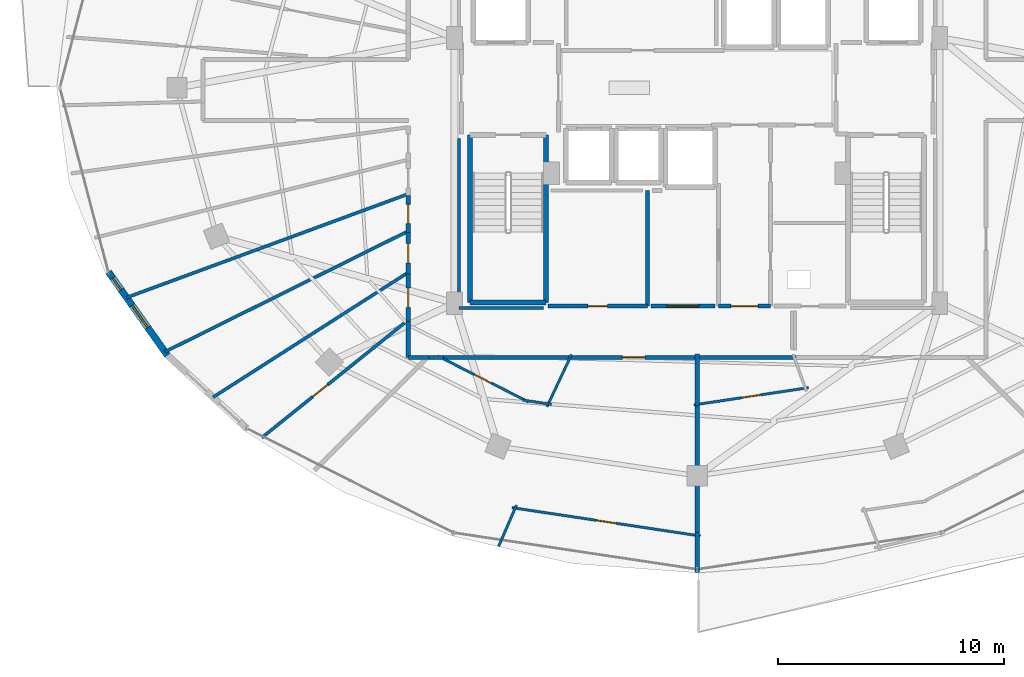
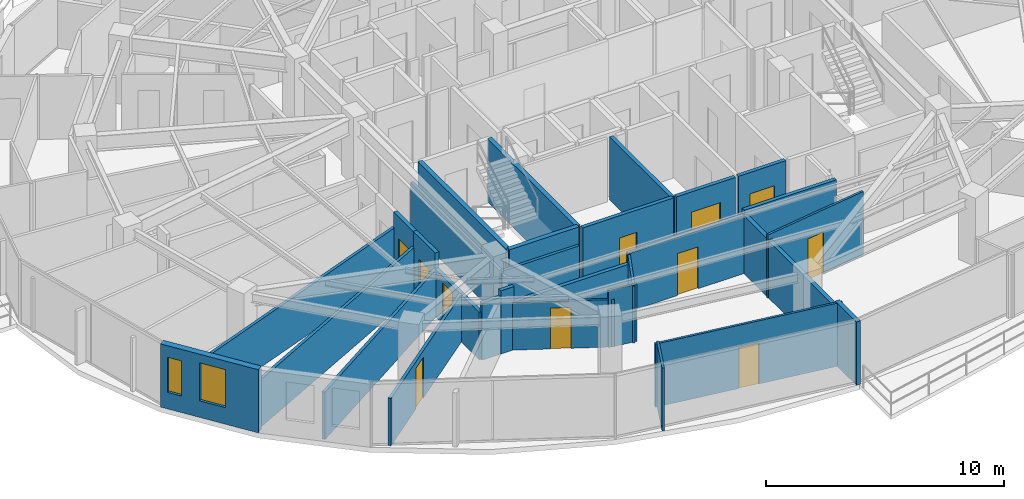
# One storey, part 22 of 31: 32 walls, 11 doors, 2 windows, 13 openings.
"""IFC4 building model written with IfcOpenShell, lengths in metres."""

from ifc_helpers import new_model, si_unit, direction, frame, frame_2d, origin, place, context, subcontext, project, spatial, rectangle, extrude, material, layer, layer_set, type_object, element, fill, save


model = new_model("IFC4")

# Units and contexts
model_context = context("Model", 3, precision=1e-05, world=origin(), true_north=direction((0.0, 1.0)))
body_context = subcontext(model_context, "Body", "Model", "MODEL_VIEW")
ifc_project = project(units=[si_unit("LENGTHUNIT", "METRE"), si_unit("AREAUNIT", "SQUARE_METRE"), si_unit("VOLUMEUNIT", "CUBIC_METRE"), si_unit("PLANEANGLEUNIT", "RADIAN"), si_unit("MASSUNIT", "GRAM", prefix="KILO")], contexts=[model_context])

# Site, building, storey
site_placement = place(None, origin())
site = spatial("IfcSite", under=ifc_project, at=site_placement, CompositionType="ELEMENT")
building_placement = place(site_placement, origin())
building = spatial("IfcBuilding", under=site, at=building_placement, Name="Vorneva Point Tower", CompositionType="ELEMENT")
storey_placement = place(building_placement, frame((0.0, 0.0, 193.10009765625)))
storey = spatial("IfcBuildingStorey", under=building, at=storey_placement, Name="L52", CompositionType="ELEMENT", Elevation=193.10009765625)

# Wall, openings, windows
ifc_material_1 = material(Name="Precast concrete B50 (C40/50)", Category="concrete")
ifc_layer_1 = layer(ifc_material_1, 0.300048828125)
ifc_layer_set_1 = layer_set([ifc_layer_1], Name="Precast concrete B50 (C40/50)")
wall_type_1 = type_object("IfcWallType", Name="WL-EXT-300", PredefinedType="STANDARD", material=ifc_layer_set_1)
wall_1_placement = place(storey_placement, frame((11.9189453125, 17.82958984375, 0.0), z_axis=(0.0, 0.0, 1.0), x_axis=(0.577168747264, -0.81662490605, 0.0)))
wall_1 = element("IfcWall", 1, at=wall_1_placement, inside=storey, type_object=wall_type_1, Name="L52 Pale-Metal Facade Spandrel Wall 10.1", PredefinedType="STANDARD", context=body_context, shape_type="SweptSolid", body=[
    extrude(rectangle(XDim=4.519775390625, YDim=0.300048828125, at=frame_2d((2.259765625, 0.0))), origin(), (0.0, 0.0, 1.0), 3.239990234375),
])
opening_1_placement = place(wall_1_placement, frame((0.319580078125, 0.0, 0.85009765625)))
opening_1 = element("IfcOpeningElement", 2, at=opening_1_placement, cuts=wall_1, Name="Opening W-09", PredefinedType="OPENING", context=body_context, shape_type="SweptSolid", body=[
    extrude(rectangle(XDim=0.64990234375, YDim=1.800048828125, at=frame_2d((0.324951171875, 0.89990234375))), frame((0.0, 0.1650390625, 0.0), z_axis=(0.0, -1.0, 0.0), x_axis=(1.0, 0.0, 0.0)), (0.0, 0.0, 1.0), 0.329833984375),
])
opening_2_placement = place(wall_1_placement, frame((1.80908203125, 0.0, 0.85009765625)))
opening_2 = element("IfcOpeningElement", 3, at=opening_2_placement, cuts=wall_1, Name="Opening W-04", PredefinedType="OPENING", context=body_context, shape_type="SweptSolid", body=[
    extrude(rectangle(XDim=1.199951171875, YDim=1.949951171875, at=frame_2d((0.60009765625, 0.97509765625))), frame((0.0, 0.1650390625, 0.0), z_axis=(0.0, -1.0, 0.0), x_axis=(1.0, 0.0, 0.0)), (0.0, 0.0, 1.0), 0.329833984375),
])
ifc_material_2 = material(Name="Double low-e laminated glass IGU", Category="glass")
window_type_1 = type_object("IfcWindowType", Name="WN-CAS-650", PartitioningType="SINGLE_PANEL", PredefinedType="WINDOW", material=ifc_material_2)
window_1_placement = place(opening_1_placement, origin())
window_1 = element("IfcWindow", 4, at=window_1_placement, inside=storey, type_object=window_type_1, Name="L52 Dwelling Vision Window 01", OverallHeight=1.800048828125, OverallWidth=0.64990234375, PartitioningType="SINGLE_PANEL", PredefinedType="WINDOW", context=body_context, shape_type="SweptSolid", body=[
    extrude(rectangle(XDim=0.64990234375, YDim=1.800048828125, at=frame_2d((0.324951171875, 0.89990234375))), frame((0.0, 0.030029296875, 0.0), z_axis=(0.0, -1.0, 0.0), x_axis=(1.0, 0.0, 0.0)), (0.0, 0.0, 1.0), 0.06005859375),
])
fill(opening_1, window_1)
window_type_2 = type_object("IfcWindowType", Name="WN-RES-1200", PartitioningType="SINGLE_PANEL", PredefinedType="WINDOW", material=ifc_material_2)
window_2_placement = place(opening_2_placement, origin())
window_2 = element("IfcWindow", 5, at=window_2_placement, inside=storey, type_object=window_type_2, Name="L52 Dwelling Vision Window 02", OverallHeight=1.949951171875, OverallWidth=1.199951171875, PartitioningType="SINGLE_PANEL", PredefinedType="WINDOW", context=body_context, shape_type="SweptSolid", body=[
    extrude(rectangle(XDim=1.199951171875, YDim=1.949951171875, at=frame_2d((0.60009765625, 0.97509765625))), frame((0.0, 0.030029296875, 0.0), z_axis=(0.0, -1.0, 0.0), x_axis=(1.0, 0.0, 0.0)), (0.0, 0.0, 1.0), 0.06005859375),
])
fill(opening_2, window_2)

# Walls
ifc_material_3 = material(Name="Fire-rated acoustic gypsum stud partition", Category="gypsum")
ifc_layer_2 = layer(ifc_material_3, 0.110107421875)
ifc_layer_set_2 = layer_set([ifc_layer_2], Name="Fire-rated acoustic gypsum stud partition")
wall_type_2 = type_object("IfcWallType", Name="WL-PART-110", PredefinedType="PARTITIONING", material=ifc_layer_set_2)
wall_2_placement = place(storey_placement, frame((32.4365234375, 14.1767578125, 0.0), z_axis=(0.0, 0.0, 1.0), x_axis=(-0.425948638984, -0.904747344261, 0.0)))
element("IfcWall", 6, at=wall_2_placement, inside=storey, type_object=wall_type_2, Name="L52 Interior Partition 112", PredefinedType="PARTITIONING", context=body_context, shape_type="SweptSolid", body=[
    extrude(rectangle(XDim=2.55908203125, YDim=0.110107421875, at=frame_2d((1.279541015625, 0.0))), origin(), (0.0, 0.0, 1.0), 2.921875),
])
wall_3_placement = place(storey_placement, frame((31.54443359375, 11.96728515625, 0.0), z_axis=(0.0, 0.0, 1.0), x_axis=(-0.988916897536, 0.148470097217, 0.0)))
element("IfcWall", 7, at=wall_3_placement, inside=storey, type_object=wall_type_2, Name="L52 Interior Partition 113", PredefinedType="PARTITIONING", context=body_context, shape_type="SweptSolid", body=[
    extrude(rectangle(XDim=1.289306640625, YDim=0.110107421875, at=frame_2d((0.64453125, 0.0))), origin(), (0.0, 0.0, 1.0), 2.921875),
])

# Wall, opening, door
wall_4_placement = place(storey_placement, frame((30.532958984375, 12.074951171875, 0.0), z_axis=(0.0, 0.0, 1.0), x_axis=(-0.892550333972, 0.450947781153, 0.0)))
wall_4 = element("IfcWall", 8, at=wall_4_placement, inside=storey, type_object=wall_type_2, Name="L52 Interior Partition 114", PredefinedType="PARTITIONING", context=body_context, shape_type="SweptSolid", body=[
    extrude(rectangle(XDim=4.51953125, YDim=0.110107421875, at=frame_2d((2.259765625, 0.0))), origin(), (0.0, 0.0, 1.0), 2.431884765625),
])
opening_3_placement = place(wall_4_placement, frame((1.834716796875, 0.0, 0.0)))
opening_3 = element("IfcOpeningElement", 9, at=opening_3_placement, cuts=wall_4, Name="Opening ID-02", PredefinedType="OPENING", context=body_context, shape_type="SweptSolid", body=[
    extrude(rectangle(XDim=0.85009765625, YDim=2.10009765625, at=frame_2d((0.425048828125, 1.050048828125))), frame((0.0, 0.06982421875, 0.0), z_axis=(0.0, -1.0, 0.0), x_axis=(1.0, 0.0, 0.0)), (0.0, 0.0, 1.0), 0.139892578125),
])
ifc_material_4 = material(Name="Engineered oak fire-rated door leaf", Category="wood")
door_type_1 = type_object("IfcDoorType", Name="DR-BATH-850", OperationType="NOTDEFINED", PredefinedType="DOOR", material=ifc_material_4)
door_1_placement = place(opening_3_placement, origin())
door_1 = element("IfcDoor", 10, at=door_1_placement, inside=storey, type_object=door_type_1, Name="L52 Door Studio Apartment L52-03 / Bathroom L52-03", OperationType="SINGLE_SWING_LEFT", OverallHeight=2.10009765625, OverallWidth=0.85009765625, PredefinedType="DOOR", context=body_context, shape_type="SweptSolid", body=[
    extrude(rectangle(XDim=0.85009765625, YDim=2.10009765625, at=frame_2d((0.425048828125, 1.050048828125))), frame((0.0, 0.02490234375, 0.0), z_axis=(0.0, -1.0, 0.0), x_axis=(1.0, 0.0, 0.0)), (0.0, 0.0, 1.0), 0.050048828125),
])
fill(opening_3, door_1)

wall_5_placement = place(storey_placement, frame((29.799560546875, 7.389892578125, 0.0), z_axis=(0.0, 0.0, 1.0), x_axis=(0.988869998297, -0.148782144316, 0.0)))
wall_5 = element("IfcWall", 11, at=wall_5_placement, inside=storey, type_object=wall_type_2, Name="L52 Interior Partition 115", PredefinedType="PARTITIONING", context=body_context, shape_type="SweptSolid", body=[
    extrude(rectangle(XDim=8.4326171875, YDim=0.110107421875, at=frame_2d((4.21630859375, 0.0))), origin(), (0.0, 0.0, 1.0), 3.239990234375),
])
opening_4_placement = place(wall_5_placement, frame((3.766357421875, 0.0, 0.0)))
opening_4 = element("IfcOpeningElement", 12, at=opening_4_placement, cuts=wall_5, Name="Opening ID-01", PredefinedType="OPENING", context=body_context, shape_type="SweptSolid", body=[
    extrude(rectangle(XDim=0.89990234375, YDim=2.10009765625, at=frame_2d((0.449951171875, 1.050048828125))), frame((0.0, 0.06982421875, 0.0), z_axis=(0.0, -1.0, 0.0), x_axis=(1.0, 0.0, 0.0)), (0.0, 0.0, 1.0), 0.139892578125),
])
door_type_2 = type_object("IfcDoorType", Name="DR-ROOM-900", OperationType="NOTDEFINED", PredefinedType="DOOR", material=ifc_material_4)
door_2_placement = place(opening_4_placement, origin())
door_2 = element("IfcDoor", 13, at=door_2_placement, inside=storey, type_object=door_type_2, Name="L52 Door Studio Apartment L52-03 / Kitchen L52-03", OperationType="SINGLE_SWING_RIGHT", OverallHeight=2.10009765625, OverallWidth=0.89990234375, PredefinedType="DOOR", context=body_context, shape_type="SweptSolid", body=[
    extrude(rectangle(XDim=0.89990234375, YDim=2.10009765625, at=frame_2d((0.449951171875, 1.050048828125))), frame((0.0, 0.02490234375, 0.0), z_axis=(0.0, -1.0, 0.0), x_axis=(1.0, 0.0, 0.0)), (0.0, 0.0, 1.0), 0.050048828125),
])
fill(opening_4, door_2)

# Wall
wall_6_placement = place(storey_placement, frame((29.204345703125, 5.674560546875, 0.0), z_axis=(0.0, 0.0, 1.0), x_axis=(0.397328054141, 0.917676640976, 0.0)))
element("IfcWall", 14, at=wall_6_placement, inside=storey, type_object=wall_type_2, Name="L52 Interior Partition 116", PredefinedType="PARTITIONING", context=body_context, shape_type="SweptSolid", body=[
    extrude(rectangle(XDim=1.986572265625, YDim=0.110107421875, at=frame_2d((0.9931640625, 0.0))), origin(), (0.0, 0.0, 1.0), 3.239990234375),
])

# Wall, opening, door
wall_7_placement = place(storey_placement, frame((42.932373046875, 12.705810546875, 0.0), z_axis=(0.0, 0.0, 1.0), x_axis=(-0.988876905643, -0.148736227888, 0.0)))
wall_7 = element("IfcWall", 15, at=wall_7_placement, inside=storey, type_object=wall_type_2, Name="L52 Interior Partition 121", PredefinedType="PARTITIONING", context=body_context, shape_type="SweptSolid", body=[
    extrude(rectangle(XDim=5.1279296875, YDim=0.110107421875, at=frame_2d((2.56396484375, 0.0))), origin(), (0.0, 0.0, 1.0), 3.239990234375),
])
opening_5_placement = place(wall_7_placement, frame((2.138916015625, 0.0, 0.0)))
opening_5 = element("IfcOpeningElement", 16, at=opening_5_placement, cuts=wall_7, Name="Opening ID-02", PredefinedType="OPENING", context=body_context, shape_type="SweptSolid", body=[
    extrude(rectangle(XDim=0.85009765625, YDim=2.10009765625, at=frame_2d((0.425048828125, 1.050048828125))), frame((0.0, 0.06982421875, 0.0), z_axis=(0.0, -1.0, 0.0), x_axis=(1.0, 0.0, 0.0)), (0.0, 0.0, 1.0), 0.139892578125),
])
door_3_placement = place(opening_5_placement, origin())
door_3 = element("IfcDoor", 17, at=door_3_placement, inside=storey, type_object=door_type_1, Name="L52 Door Studio Apartment L52-04 / Bathroom L52-04", OperationType="SINGLE_SWING_LEFT", OverallHeight=2.10009765625, OverallWidth=0.85009765625, PredefinedType="DOOR", context=body_context, shape_type="SweptSolid", body=[
    extrude(rectangle(XDim=0.85009765625, YDim=2.10009765625, at=frame_2d((0.425048828125, 1.050048828125))), frame((0.0, 0.02490234375, 0.0), z_axis=(0.0, -1.0, 0.0), x_axis=(1.0, 0.0, 0.0)), (0.0, 0.0, 1.0), 0.050048828125),
])
fill(opening_5, door_3)

# Walls
ifc_layer_3 = layer(ifc_material_3, 0.139892578125)
ifc_layer_set_3 = layer_set([ifc_layer_3], Name="Fire-rated acoustic gypsum stud partition")
wall_type_3 = type_object("IfcWallType", Name="WL-PART-140", PredefinedType="PARTITIONING", material=ifc_layer_set_3)
wall_8_placement = place(storey_placement, frame((12.720947265625, 16.698974609375, 0.0), z_axis=(0.0, 0.0, 1.0), x_axis=(0.938476898763, 0.34534201958, 0.0)))
element("IfcWall", 18, at=wall_8_placement, inside=storey, type_object=wall_type_3, Name="L52 Interior Partition 107", PredefinedType="PARTITIONING", context=body_context, shape_type="SweptSolid", body=[
    extrude(rectangle(XDim=13.297119140625, YDim=0.139892578125, at=frame_2d((6.6484375, 0.0))), origin(), (0.0, 0.0, 1.0), 2.431884765625),
])
wall_9_placement = place(storey_placement, frame((14.41796875, 14.2939453125, 0.0), z_axis=(0.0, 0.0, 1.0), x_axis=(0.895717443483, 0.444623730182, 0.0)))
element("IfcWall", 19, at=wall_9_placement, inside=storey, type_object=wall_type_3, Name="L52 Interior Partition 108", PredefinedType="PARTITIONING", context=body_context, shape_type="SweptSolid", body=[
    extrude(rectangle(XDim=12.037353515625, YDim=0.139892578125, at=frame_2d((6.0185546875, 0.0))), origin(), (0.0, 0.0, 1.0), 2.431884765625),
])
wall_10_placement = place(storey_placement, frame((16.547119140625, 12.280029296875, 0.0), z_axis=(0.0, 0.0, 1.0), x_axis=(0.842442736758, 0.53878589002, 0.0)))
element("IfcWall", 20, at=wall_10_placement, inside=storey, type_object=wall_type_3, Name="L52 Interior Partition 109", PredefinedType="PARTITIONING", context=body_context, shape_type="SweptSolid", body=[
    extrude(rectangle(XDim=10.271240234375, YDim=0.139892578125, at=frame_2d((5.1357421875, 0.0))), origin(), (0.0, 0.0, 1.0), 2.431884765625),
])

# Wall, opening, door
wall_11_placement = place(storey_placement, frame((18.7099609375, 10.489990234375, 0.0), z_axis=(0.0, 0.0, 1.0), x_axis=(0.779284718529, 0.626670030771, 0.0)))
wall_11 = element("IfcWall", 21, at=wall_11_placement, inside=storey, type_object=wall_type_3, Name="L52 Interior Partition 110", PredefinedType="PARTITIONING", context=body_context, shape_type="SweptSolid", body=[
    extrude(rectangle(XDim=8.328125, YDim=0.139892578125, at=frame_2d((4.1640625, 0.0))), origin(), (0.0, 0.0, 1.0), 2.431884765625),
])
opening_6_placement = place(wall_11_placement, frame((2.899169921875, 0.0, 0.0)))
opening_6 = element("IfcOpeningElement", 22, at=opening_6_placement, cuts=wall_11, Name="Opening ID-02", PredefinedType="OPENING", context=body_context, shape_type="SweptSolid", body=[
    extrude(rectangle(XDim=0.85009765625, YDim=2.10009765625, at=frame_2d((0.425048828125, 1.050048828125))), frame((0.0, 0.0849609375, 0.0), z_axis=(0.0, -1.0, 0.0), x_axis=(1.0, 0.0, 0.0)), (0.0, 0.0, 1.0), 0.169677734375),
])
door_4_placement = place(opening_6_placement, origin())
door_4 = element("IfcDoor", 23, at=door_4_placement, inside=storey, type_object=door_type_1, Name="L52 Access Door Bedroom L52-02.8", OperationType="SINGLE_SWING_LEFT", OverallHeight=2.10009765625, OverallWidth=0.85009765625, PredefinedType="DOOR", context=body_context, shape_type="SweptSolid", body=[
    extrude(rectangle(XDim=0.85009765625, YDim=2.10009765625, at=frame_2d((0.425048828125, 1.050048828125))), frame((0.0, 0.02490234375, 0.0), z_axis=(0.0, -1.0, 0.0), x_axis=(1.0, 0.0, 0.0)), (0.0, 0.0, 1.0), 0.050048828125),
])
fill(opening_6, door_4)

# Walls
wall_12_placement = place(storey_placement, frame((27.449951171875, 23.75390625, 0.0), z_axis=(0.0, 0.0, 1.0), x_axis=(0.0, -1.0, 0.0)))
element("IfcWall", 24, at=wall_12_placement, inside=storey, type_object=wall_type_3, Name="L52 Interior Closure Partition 144", PredefinedType="PARTITIONING", context=body_context, shape_type="SweptSolid", body=[
    extrude(rectangle(XDim=7.513916015625, YDim=0.139892578125, at=frame_2d((3.7568359375, 0.0))), origin(), (0.0, 0.0, 1.0), 2.431884765625),
])
wall_13_placement = place(storey_placement, frame((27.449951171875, 16.239990234375, 0.0), z_axis=(0.0, 0.0, 1.0), x_axis=(1.0, 0.0, 0.0)))
element("IfcWall", 25, at=wall_13_placement, inside=storey, type_object=wall_type_3, Name="L52 Interior Closure Partition 145", PredefinedType="PARTITIONING", context=body_context, shape_type="SweptSolid", body=[
    extrude(rectangle(XDim=3.7451171875, YDim=0.139892578125, at=frame_2d((1.87255859375, 0.0))), origin(), (0.0, 0.0, 1.0), 2.431884765625),
])

# Wall, opening, door
ifc_material_5 = material(Name="Autoclaved aerated concrete blockwork", Category="masonry")
ifc_layer_4 = layer(ifc_material_5, 0.179931640625)
ifc_layer_set_4 = layer_set([ifc_layer_4], Name="Autoclaved aerated concrete blockwork")
wall_type_4 = type_object("IfcWallType", Name="WL-PART-180", PredefinedType="PARTITIONING", material=ifc_layer_set_4)
wall_14_placement = place(storey_placement, frame((38.949951171875, 16.320068359375, 0.0), z_axis=(0.0, 0.0, 1.0), x_axis=(1.0, 0.0, 0.0)))
wall_14 = element("IfcWall", 26, at=wall_14_placement, inside=storey, type_object=wall_type_4, Name="L52 Interior Partition 016", PredefinedType="PARTITIONING", context=body_context, shape_type="SweptSolid", body=[
    extrude(rectangle(XDim=2.300048828125, YDim=0.179931640625, at=frame_2d((1.14990234375, 0.0))), origin(), (0.0, 0.0, 1.0), 3.239990234375),
])
opening_7_placement = place(wall_14_placement, frame((0.550048828125, 0.0, 0.0)))
opening_7 = element("IfcOpeningElement", 27, at=opening_7_placement, cuts=wall_14, Name="Opening FD-02", PredefinedType="OPENING", context=body_context, shape_type="SweptSolid", body=[
    extrude(rectangle(XDim=1.199951171875, YDim=2.14990234375, at=frame_2d((0.60009765625, 1.074951171875))), frame((0.0, 0.10498046875, 0.0), z_axis=(0.0, -1.0, 0.0), x_axis=(1.0, 0.0, 0.0)), (0.0, 0.0, 1.0), 0.209716796875),
])
ifc_material_6 = material(Name="Fire-rated powder-coated steel", Category="steel")
door_type_3 = type_object("IfcDoorType", Name="DR-FFL-1200", OperationType="NOTDEFINED", PredefinedType="DOOR", material=ifc_material_6)
door_5_placement = place(opening_7_placement, origin())
door_5 = element("IfcDoor", 28, at=door_5_placement, inside=storey, type_object=door_type_3, Name="L52 Door Core Service Lobby / L52 Circulation Corridor", OperationType="SINGLE_SWING_RIGHT", OverallHeight=2.14990234375, OverallWidth=1.199951171875, PredefinedType="DOOR", context=body_context, shape_type="SweptSolid", body=[
    extrude(rectangle(XDim=1.199951171875, YDim=2.14990234375, at=frame_2d((0.60009765625, 1.074951171875))), frame((0.0, 0.02490234375, 0.0), z_axis=(0.0, -1.0, 0.0), x_axis=(1.0, 0.0, 0.0)), (0.0, 0.0, 1.0), 0.050048828125),
])
fill(opening_7, door_5)

# Wall
wall_15_placement = place(storey_placement, frame((35.800048828125, 16.320068359375, 0.0), z_axis=(0.0, 0.0, 1.0), x_axis=(0.0, 1.0, 0.0)))
element("IfcWall", 29, at=wall_15_placement, inside=storey, type_object=wall_type_4, Name="L52 Interior Partition 027", PredefinedType="PARTITIONING", context=body_context, shape_type="SweptSolid", body=[
    extrude(rectangle(XDim=5.1298828125, YDim=0.179931640625, at=frame_2d((2.56494140625, 0.0))), origin(), (0.0, 0.0, 1.0), 3.239990234375),
])

# Wall, opening, door
wall_16_placement = place(storey_placement, frame((31.39990234375, 16.320068359375, 0.0), z_axis=(0.0, 0.0, 1.0), x_axis=(1.0, 0.0, 0.0)))
wall_16 = element("IfcWall", 30, at=wall_16_placement, inside=storey, type_object=wall_type_4, Name="L52 Interior Partition 028", PredefinedType="PARTITIONING", context=body_context, shape_type="SweptSolid", body=[
    extrude(rectangle(XDim=4.400146484375, YDim=0.179931640625, at=frame_2d((2.2001953125, 0.0))), origin(), (0.0, 0.0, 1.0), 3.239990234375),
])
opening_8_placement = place(wall_16_placement, frame((1.77490234375, 0.0, 0.0)))
opening_8 = element("IfcOpeningElement", 31, at=opening_8_placement, cuts=wall_16, Name="Opening ID-02", PredefinedType="OPENING", context=body_context, shape_type="SweptSolid", body=[
    extrude(rectangle(XDim=0.85009765625, YDim=2.10009765625, at=frame_2d((0.425048828125, 1.050048828125))), frame((0.0, 0.10498046875, 0.0), z_axis=(0.0, -1.0, 0.0), x_axis=(1.0, 0.0, 0.0)), (0.0, 0.0, 1.0), 0.209716796875),
])
door_6_placement = place(opening_8_placement, origin())
door_6 = element("IfcDoor", 32, at=door_6_placement, inside=storey, type_object=door_type_1, Name="L52 Door Bicycle Gear Store / L52 Circulation Corridor", OperationType="SINGLE_SWING_LEFT", OverallHeight=2.10009765625, OverallWidth=0.85009765625, PredefinedType="DOOR", context=body_context, shape_type="SweptSolid", body=[
    extrude(rectangle(XDim=0.85009765625, YDim=2.10009765625, at=frame_2d((0.425048828125, 1.050048828125))), frame((0.0, 0.02490234375, 0.0), z_axis=(0.0, -1.0, 0.0), x_axis=(1.0, 0.0, 0.0)), (0.0, 0.0, 1.0), 0.050048828125),
])
fill(opening_8, door_6)

wall_17_placement = place(storey_placement, frame((35.949951171875, 16.320068359375, 0.0), z_axis=(0.0, 0.0, 1.0), x_axis=(1.0, 0.0, 0.0)))
wall_17 = element("IfcWall", 33, at=wall_17_placement, inside=storey, type_object=wall_type_4, Name="L52 Interior Partition 029", PredefinedType="PARTITIONING", context=body_context, shape_type="SweptSolid", body=[
    extrude(rectangle(XDim=2.85009765625, YDim=0.179931640625, at=frame_2d((1.425048828125, 0.0))), origin(), (0.0, 0.0, 1.0), 3.239990234375),
])
opening_9_placement = place(wall_17_placement, frame((0.72509765625, 0.0, 0.0)))
opening_9 = element("IfcOpeningElement", 34, at=opening_9_placement, cuts=wall_17, Name="Opening FD-03", PredefinedType="OPENING", context=body_context, shape_type="SweptSolid", body=[
    extrude(rectangle(XDim=1.39990234375, YDim=2.199951171875, at=frame_2d((0.699951171875, 1.10009765625))), frame((0.0, 0.10498046875, 0.0), z_axis=(0.0, -1.0, 0.0), x_axis=(1.0, 0.0, 0.0)), (0.0, 0.0, 1.0), 0.209716796875),
])
door_type_4 = type_object("IfcDoorType", Name="DR-PLT-1400", OperationType="DOUBLE_SWING_LEFT", PredefinedType="DOOR", material=ifc_material_6)
door_7_placement = place(opening_9_placement, origin())
door_7 = element("IfcDoor", 35, at=door_7_placement, inside=storey, type_object=door_type_4, Name="L52 Door Telecoms and Data Room / L52 Circulation Corridor", OperationType="DOUBLE_SWING_LEFT", OverallHeight=2.199951171875, OverallWidth=1.39990234375, PredefinedType="DOOR", context=body_context, shape_type="SweptSolid", body=[
    extrude(rectangle(XDim=1.39990234375, YDim=2.199951171875, at=frame_2d((0.699951171875, 1.10009765625))), frame((0.0, 0.02490234375, 0.0), z_axis=(0.0, -1.0, 0.0), x_axis=(1.0, 0.0, 0.0)), (0.0, 0.0, 1.0), 0.050048828125),
])
fill(opening_9, door_7)

wall_18_placement = place(storey_placement, frame((25.199951171875, 21.22705078125, 0.0), z_axis=(0.0, 0.0, 1.0), x_axis=(0.0, -1.0, 0.0)))
wall_18 = element("IfcWall", 36, at=wall_18_placement, inside=storey, type_object=wall_type_4, Name="L52 Interior Partition 050", PredefinedType="PARTITIONING", context=body_context, shape_type="SweptSolid", body=[
    extrude(rectangle(XDim=1.64794921875, YDim=0.179931640625, at=frame_2d((0.823974609375, 0.0))), origin(), (0.0, 0.0, 1.0), 3.239990234375),
])
opening_10_placement = place(wall_18_placement, frame((0.39892578125, 0.0, 0.0)))
opening_10 = element("IfcOpeningElement", 37, at=opening_10_placement, cuts=wall_18, Name="Opening ID-02", PredefinedType="OPENING", context=body_context, shape_type="SweptSolid", body=[
    extrude(rectangle(XDim=0.85009765625, YDim=2.10009765625, at=frame_2d((0.425048828125, 1.050048828125))), frame((0.0, 0.10498046875, 0.0), z_axis=(0.0, -1.0, 0.0), x_axis=(1.0, 0.0, 0.0)), (0.0, 0.0, 1.0), 0.209716796875),
])
door_8_placement = place(opening_10_placement, origin())
door_8 = element("IfcDoor", 38, at=door_8_placement, inside=storey, type_object=door_type_1, Name="L52 Access Door L52 Circulation Corridor", OperationType="SINGLE_SWING_RIGHT", OverallHeight=2.10009765625, OverallWidth=0.85009765625, PredefinedType="DOOR", context=body_context, shape_type="SweptSolid", body=[
    extrude(rectangle(XDim=0.85009765625, YDim=2.10009765625, at=frame_2d((0.425048828125, 1.050048828125))), frame((0.0, 0.02490234375, 0.0), z_axis=(0.0, -1.0, 0.0), x_axis=(1.0, 0.0, 0.0)), (0.0, 0.0, 1.0), 0.050048828125),
])
fill(opening_10, door_8)

wall_19_placement = place(storey_placement, frame((25.199951171875, 19.5791015625, 0.0), z_axis=(0.0, 0.0, 1.0), x_axis=(0.0, -1.0, 0.0)))
wall_19 = element("IfcWall", 39, at=wall_19_placement, inside=storey, type_object=wall_type_4, Name="L52 Interior Partition 051", PredefinedType="PARTITIONING", context=body_context, shape_type="SweptSolid", body=[
    extrude(rectangle(XDim=1.836181640625, YDim=0.179931640625, at=frame_2d((0.91796875, 0.0))), origin(), (0.0, 0.0, 1.0), 3.239990234375),
])
opening_11_placement = place(wall_19_placement, frame((0.492919921875, 0.0, 0.0)))
opening_11 = element("IfcOpeningElement", 40, at=opening_11_placement, cuts=wall_19, Name="Opening ID-02", PredefinedType="OPENING", context=body_context, shape_type="SweptSolid", body=[
    extrude(rectangle(XDim=0.85009765625, YDim=2.10009765625, at=frame_2d((0.425048828125, 1.050048828125))), frame((0.0, 0.10498046875, 0.0), z_axis=(0.0, -1.0, 0.0), x_axis=(1.0, 0.0, 0.0)), (0.0, 0.0, 1.0), 0.209716796875),
])
door_9_placement = place(opening_11_placement, origin())
door_9 = element("IfcDoor", 41, at=door_9_placement, inside=storey, type_object=door_type_1, Name="L52 Access Door L52 Circulation Corridor", OperationType="SINGLE_SWING_LEFT", OverallHeight=2.10009765625, OverallWidth=0.85009765625, PredefinedType="DOOR", context=body_context, shape_type="SweptSolid", body=[
    extrude(rectangle(XDim=0.85009765625, YDim=2.10009765625, at=frame_2d((0.425048828125, 1.050048828125))), frame((0.0, 0.02490234375, 0.0), z_axis=(0.0, -1.0, 0.0), x_axis=(1.0, 0.0, 0.0)), (0.0, 0.0, 1.0), 0.050048828125),
])
fill(opening_11, door_9)

wall_20_placement = place(storey_placement, frame((25.199951171875, 17.742919921875, 0.0), z_axis=(0.0, 0.0, 1.0), x_axis=(0.0, -1.0, 0.0)))
wall_20 = element("IfcWall", 42, at=wall_20_placement, inside=storey, type_object=wall_type_4, Name="L52 Interior Partition 052", PredefinedType="PARTITIONING", context=body_context, shape_type="SweptSolid", body=[
    extrude(rectangle(XDim=2.11083984375, YDim=0.179931640625, at=frame_2d((1.055419921875, 0.0))), origin(), (0.0, 0.0, 1.0), 2.431884765625),
])
opening_12_placement = place(wall_20_placement, frame((0.630615234375, 0.0, 0.0)))
opening_12 = element("IfcOpeningElement", 43, at=opening_12_placement, cuts=wall_20, Name="Opening ID-02", PredefinedType="OPENING", context=body_context, shape_type="SweptSolid", body=[
    extrude(rectangle(XDim=0.85009765625, YDim=2.10009765625, at=frame_2d((0.425048828125, 1.050048828125))), frame((0.0, 0.10498046875, 0.0), z_axis=(0.0, -1.0, 0.0), x_axis=(1.0, 0.0, 0.0)), (0.0, 0.0, 1.0), 0.209716796875),
])
door_10_placement = place(opening_12_placement, origin())
door_10 = element("IfcDoor", 44, at=door_10_placement, inside=storey, type_object=door_type_1, Name="L52 Access Door L52 Circulation Corridor", OperationType="SINGLE_SWING_RIGHT", OverallHeight=2.10009765625, OverallWidth=0.85009765625, PredefinedType="DOOR", context=body_context, shape_type="SweptSolid", body=[
    extrude(rectangle(XDim=0.85009765625, YDim=2.10009765625, at=frame_2d((0.425048828125, 1.050048828125))), frame((0.0, 0.02490234375, 0.0), z_axis=(0.0, -1.0, 0.0), x_axis=(1.0, 0.0, 0.0)), (0.0, 0.0, 1.0), 0.050048828125),
])
fill(opening_12, door_10)

# Walls
wall_21_placement = place(storey_placement, frame((25.199951171875, 15.632080078125, 0.0), z_axis=(0.0, 0.0, 1.0), x_axis=(0.0, -1.0, 0.0)))
element("IfcWall", 45, at=wall_21_placement, inside=storey, type_object=wall_type_4, Name="L52 Interior Partition 053", PredefinedType="PARTITIONING", context=body_context, shape_type="SweptSolid", body=[
    extrude(rectangle(XDim=1.58203125, YDim=0.179931640625, at=frame_2d((0.791015625, 0.0))), origin(), (0.0, 0.0, 1.0), 2.431884765625),
])
wall_22_placement = place(storey_placement, frame((25.199951171875, 14.050048828125, 0.0), z_axis=(0.0, 0.0, 1.0), x_axis=(1.0, 0.0, 0.0)))
element("IfcWall", 46, at=wall_22_placement, inside=storey, type_object=wall_type_4, Name="L52 Interior Partition 054", PredefinedType="PARTITIONING", context=body_context, shape_type="SweptSolid", body=[
    extrude(rectangle(XDim=0.91015625, YDim=0.179931640625, at=frame_2d((0.455078125, 0.0))), origin(), (0.0, 0.0, 1.0), 2.921875),
])
wall_23_placement = place(storey_placement, frame((26.110107421875, 14.050048828125, 0.0), z_axis=(0.0, 0.0, 1.0), x_axis=(1.0, 0.0, 0.0)))
element("IfcWall", 47, at=wall_23_placement, inside=storey, type_object=wall_type_4, Name="L52 Interior Partition 055", PredefinedType="PARTITIONING", context=body_context, shape_type="SweptSolid", body=[
    extrude(rectangle(XDim=0.64697265625, YDim=0.179931640625, at=frame_2d((0.323486328125, 0.0))), origin(), (0.0, 0.0, 1.0), 3.239990234375),
])

# Wall, opening, door
wall_24_placement = place(storey_placement, frame((32.31103515625, 14.050048828125, 0.0), z_axis=(0.0, 0.0, 1.0), x_axis=(1.0, 0.0, 0.0)))
wall_24 = element("IfcWall", 48, at=wall_24_placement, inside=storey, type_object=wall_type_4, Name="L52 Interior Partition 056", PredefinedType="PARTITIONING", context=body_context, shape_type="SweptSolid", body=[
    extrude(rectangle(XDim=5.7490234375, YDim=0.179931640625, at=frame_2d((2.87451171875, 0.0))), origin(), (0.0, 0.0, 1.0), 2.971923828125),
])
opening_13_placement = place(wall_24_placement, frame((2.37451171875, 0.0, 0.0)))
opening_13 = element("IfcOpeningElement", 49, at=opening_13_placement, cuts=wall_24, Name="Opening UD-01", PredefinedType="OPENING", context=body_context, shape_type="SweptSolid", body=[
    extrude(rectangle(XDim=1.0, YDim=2.14990234375, at=frame_2d((0.5, 1.074951171875))), frame((0.0, 0.10498046875, 0.0), z_axis=(0.0, -1.0, 0.0), x_axis=(1.0, 0.0, 0.0)), (0.0, 0.0, 1.0), 0.209716796875),
])
door_type_5 = type_object("IfcDoorType", Name="DR-UNIT-1000", OperationType="NOTDEFINED", PredefinedType="DOOR", material=ifc_material_4)
door_11_placement = place(opening_13_placement, origin())
door_11 = element("IfcDoor", 50, at=door_11_placement, inside=storey, type_object=door_type_5, Name="L52 Door L52 Circulation Corridor / Studio Apartment L52-03", OperationType="SINGLE_SWING_LEFT", OverallHeight=2.14990234375, OverallWidth=1.0, PredefinedType="DOOR", context=body_context, shape_type="SweptSolid", body=[
    extrude(rectangle(XDim=1.0, YDim=2.14990234375, at=frame_2d((0.5, 1.074951171875))), frame((0.0, 0.02490234375, 0.0), z_axis=(0.0, -1.0, 0.0), x_axis=(1.0, 0.0, 0.0)), (0.0, 0.0, 1.0), 0.050048828125),
])
fill(opening_13, door_11)

# Walls
wall_25_placement = place(storey_placement, frame((26.616943359375, 14.050048828125, 0.0), z_axis=(0.0, 0.0, 1.0), x_axis=(1.0, 0.0, 0.0)))
element("IfcWall", 51, at=wall_25_placement, inside=storey, type_object=wall_type_4, Name="L52 Interior Partition 057", PredefinedType="PARTITIONING", context=body_context, shape_type="SweptSolid", body=[
    extrude(rectangle(XDim=5.833984375, YDim=0.179931640625, at=frame_2d((2.9169921875, 0.0))), origin(), (0.0, 0.0, 1.0), 2.431884765625),
])
wall_26_placement = place(storey_placement, frame((37.919921875, 14.050048828125, 0.0), z_axis=(0.0, 0.0, 1.0), x_axis=(1.0, 0.0, 0.0)))
element("IfcWall", 52, at=wall_26_placement, inside=storey, type_object=wall_type_4, Name="L52 Interior Partition 059", PredefinedType="PARTITIONING", context=body_context, shape_type="SweptSolid", body=[
    extrude(rectangle(XDim=4.462158203125, YDim=0.179931640625, at=frame_2d((2.23095703125, 0.0))), origin(), (0.0, 0.0, 1.0), 3.239990234375),
])
ifc_layer_5 = layer(ifc_material_5, 0.199951171875)
ifc_layer_set_5 = layer_set([ifc_layer_5], Name="Autoclaved aerated concrete blockwork")
wall_type_5 = type_object("IfcWallType", Name="WL-PART-200", PredefinedType="PARTITIONING", material=ifc_layer_set_5)
wall_27_placement = place(storey_placement, frame((38.0, 6.156005859375, 0.0), z_axis=(0.0, 0.0, 1.0), x_axis=(0.0, 1.0, 0.0)))
element("IfcWall", 53, at=wall_27_placement, inside=storey, type_object=wall_type_5, Name="L52 Interior Partition 117", PredefinedType="PARTITIONING", context=body_context, shape_type="SweptSolid", body=[
    extrude(rectangle(XDim=5.868896484375, YDim=0.199951171875, at=frame_2d((2.9345703125, 0.0))), origin(), (0.0, 0.0, 1.0), 2.921875),
])
wall_28_placement = place(storey_placement, frame((38.0, 11.885009765625, 0.0), z_axis=(0.0, 0.0, 1.0), x_axis=(0.0, 1.0, 0.0)))
element("IfcWall", 54, at=wall_28_placement, inside=storey, type_object=wall_type_5, Name="L52 Interior Partition 118", PredefinedType="PARTITIONING", context=body_context, shape_type="SweptSolid", body=[
    extrude(rectangle(XDim=2.304931640625, YDim=0.199951171875, at=frame_2d((1.15234375, 0.0))), origin(), (0.0, 0.0, 1.0), 2.971923828125),
])
wall_29_placement = place(storey_placement, frame((38.0, 4.510009765625, 0.0), z_axis=(0.0, 0.0, 1.0), x_axis=(0.0, 1.0, 0.0)))
element("IfcWall", 55, at=wall_29_placement, inside=storey, type_object=wall_type_5, Name="L52 Interior Partition 119", PredefinedType="PARTITIONING", context=body_context, shape_type="SweptSolid", body=[
    extrude(rectangle(XDim=1.785888671875, YDim=0.199951171875, at=frame_2d((0.89306640625, 0.0))), origin(), (0.0, 0.0, 1.0), 3.239990234375),
])
ifc_material_7 = material(Name="Concrete B50 (C40/50)", Category="concrete")
ifc_layer_6 = layer(ifc_material_7, 0.219970703125)
ifc_layer_set_6 = layer_set([ifc_layer_6], Name="Concrete B50 (C40/50)")
wall_type_6 = type_object("IfcWallType", Name="WL-SHFT-220", PredefinedType="SOLIDWALL", material=ifc_layer_set_6)
wall_30_placement = place(storey_placement, frame((31.31005859375, 23.909912109375, 0.0), z_axis=(0.0, 0.0, 1.0), x_axis=(0.0, -1.0, 0.0)))
element("IfcWall", 56, at=wall_30_placement, inside=storey, type_object=wall_type_6, Name="L52 Exit Stair ST1 Shaft Wall right", PredefinedType="SOLIDWALL", context=body_context, shape_type="SweptSolid", body=[
    extrude(rectangle(XDim=7.419921875, YDim=0.219970703125, at=frame_2d((3.7099609375, 0.0))), origin(), (0.0, 0.0, 1.0), 3.239990234375),
])
wall_31_placement = place(storey_placement, frame((31.31005859375, 16.489990234375, 0.0), z_axis=(0.0, 0.0, 1.0), x_axis=(-1.0, 0.0, 0.0)))
element("IfcWall", 57, at=wall_31_placement, inside=storey, type_object=wall_type_6, Name="L52 Exit Stair ST1 Shaft Wall far", PredefinedType="SOLIDWALL", context=body_context, shape_type="SweptSolid", body=[
    extrude(rectangle(XDim=3.3701171875, YDim=0.219970703125, at=frame_2d((1.68505859375, 0.0))), origin(), (0.0, 0.0, 1.0), 3.239990234375),
])
wall_32_placement = place(storey_placement, frame((27.93994140625, 16.489990234375, 0.0), z_axis=(0.0, 0.0, 1.0), x_axis=(0.0, 1.0, 0.0)))
element("IfcWall", 58, at=wall_32_placement, inside=storey, type_object=wall_type_6, Name="L52 Exit Stair ST1 Shaft Wall left", PredefinedType="SOLIDWALL", context=body_context, shape_type="SweptSolid", body=[
    extrude(rectangle(XDim=7.419921875, YDim=0.219970703125, at=frame_2d((3.7099609375, 0.0))), origin(), (0.0, 0.0, 1.0), 3.239990234375),
])

save(model, "model.ifc")
